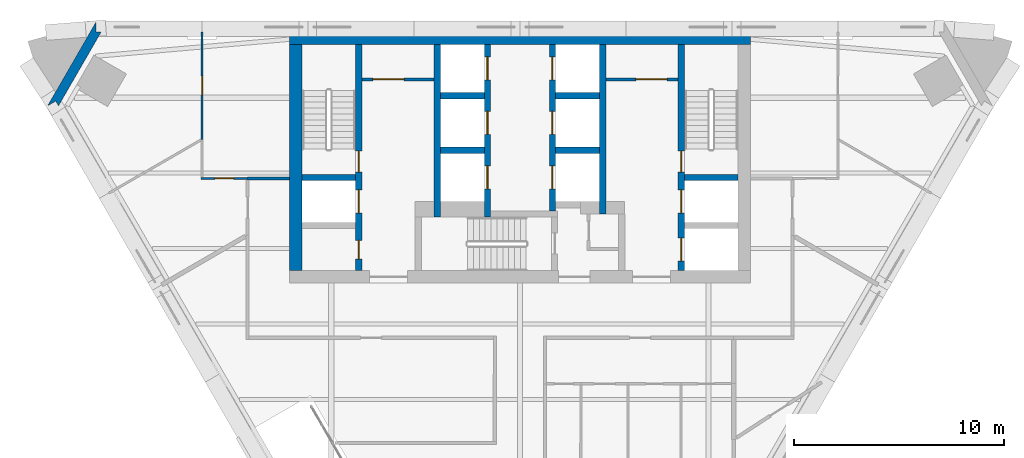
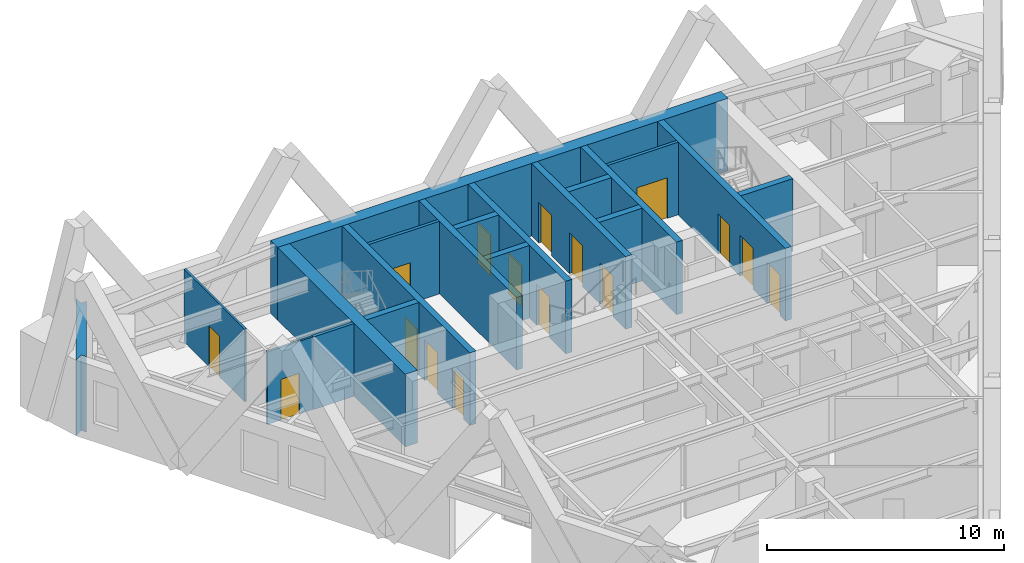
# One storey, part 6 of 9: 20 walls, 16 doors, 16 openings.
"""IFC4 building model written with IfcOpenShell, lengths in metres."""

import ifcopenshell
import ifcopenshell.guid

model = None  # the IFC model being written
_history = None  # IfcOwnerHistory: only IFC2X3 demands one
_inside = {}  # id of a spatial element -> (the spatial element, [elements in it])
_under = {}  # id of a project, library or spatial element -> (it, [spatial elements below it])
_declared = {}  # id of a project -> (the project, [libraries it declares])
_typed = {}  # id of a type object -> (the type object, [elements of that type])
_made_of = {}  # id of a material, layer set ... -> (it, [elements and type objects made of it])


def new_model(schema):
    """Start an empty IFC model of exactly this schema.

    Asked for "IFC4X3", IfcOpenShell would pick the latest addendum, in which some entities
    have other attributes; the version numbers below select the first issue.
    IFC2X3 requires an IfcOwnerHistory on every rooted entity: one is made here for all.
    """
    global model, _history
    if schema == "IFC4X3":
        model = ifcopenshell.file(schema_version=(4, 3, 0, 0))
    else:
        model = ifcopenshell.file(schema=schema)
    _inside.clear()
    _under.clear()
    _declared.clear()
    _typed.clear()
    _made_of.clear()
    _history = None
    if model.schema == "IFC2X3":
        org = make("IfcOrganization", Name="unknown")
        user = make(
            "IfcPersonAndOrganization",
            ThePerson=make("IfcPerson", FamilyName="unknown"),
            TheOrganization=org,
        )
        app = make(
            "IfcApplication",
            ApplicationDeveloper=org,
            Version="unknown",
            ApplicationFullName="unknown",
            ApplicationIdentifier="unknown",
        )
        _history = make(
            "IfcOwnerHistory",
            OwningUser=user,
            OwningApplication=app,
            ChangeAction="ADDED",
            CreationDate=0,
        )
    return model


def make(cls, **values):
    """One entity of the class cls with the attributes given. An attribute that is None is left unset."""
    return model.create_entity(
        cls, **{name: value for name, value in values.items() if value is not None}
    )


def rooted(cls, **values):
    """An entity with a GlobalId (a new one), such as an element, a storey or a relation."""
    return make(cls, GlobalId=ifcopenshell.guid.new(), OwnerHistory=_history, **values)


def si_unit(unit_type, name, prefix=None):
    """IfcSIUnit, for example si_unit("LENGTHUNIT", "METRE", prefix="MILLI")."""
    return make("IfcSIUnit", UnitType=unit_type, Prefix=prefix, Name=name)


def assignment(units):
    """IfcUnitAssignment: the units of a project."""
    return None if units is None else make("IfcUnitAssignment", Units=units)


def point(xyz):
    """IfcCartesianPoint."""
    return None if xyz is None else make("IfcCartesianPoint", Coordinates=xyz)


def direction(xyz):
    """IfcDirection."""
    return None if xyz is None else make("IfcDirection", DirectionRatios=xyz)


def frame(location, z_axis=None, x_axis=None):
    """IfcAxis2Placement3D, a coordinate frame: its origin and axes. An axis left out is left unset."""
    return make(
        "IfcAxis2Placement3D",
        Location=point(location),
        Axis=direction(z_axis),
        RefDirection=direction(x_axis),
    )


def frame_2d(location, x_axis=None):
    """IfcAxis2Placement2D, a coordinate frame in the plane: its origin and x axis."""
    return make(
        "IfcAxis2Placement2D", Location=point(location), RefDirection=direction(x_axis)
    )


def origin():
    """The frame at (0, 0, 0) with its axes left unset."""
    return frame((0.0, 0.0, 0.0))


def place(relative_to, where):
    """IfcLocalPlacement: puts the frame where relative to a parent placement (None: the world)."""
    return make(
        "IfcLocalPlacement", PlacementRelTo=relative_to, RelativePlacement=where
    )


def context(
    kind, dimensions, precision=None, world=None, true_north=None, identifier=None
):
    """IfcGeometricRepresentationContext, for example the 3D "Model" context."""
    return make(
        "IfcGeometricRepresentationContext",
        ContextIdentifier=identifier,
        ContextType=kind,
        CoordinateSpaceDimension=dimensions,
        Precision=precision,
        WorldCoordinateSystem=world,
        TrueNorth=true_north,
    )


def subcontext(parent, identifier, kind, view, scale=None):
    """IfcGeometricRepresentationSubContext, for example "Body" below "Model"."""
    return make(
        "IfcGeometricRepresentationSubContext",
        ContextIdentifier=identifier,
        ContextType=kind,
        ParentContext=parent,
        TargetScale=scale,
        TargetView=view,
    )


def project(units=None, contexts=None):
    """IfcProject with its units and contexts."""
    return rooted(
        "IfcProject",
        Name="project",
        RepresentationContexts=contexts,
        UnitsInContext=assignment(units),
    )


def spatial(cls, under=None, at=None, **own):
    """A site, building, storey or space (cls), placed at a placement, below another one or the project."""
    s = rooted(cls, ObjectPlacement=at, **own)
    if under is not None:
        _under.setdefault(under.id(), (under, []))[1].append(s)
    return s


def polyline(points):
    """IfcPolyline through the points."""
    return make("IfcPolyline", Points=[point(p) for p in points])


def profile(cls, at=None, kind="AREA", **sizes):
    """A parametric profile (cls). Its sizes go by their IFC names, for example OverallWidth=200.0."""
    return make(cls, ProfileType=kind, Position=at, **sizes)


def rectangle(**sizes):
    """IfcRectangleProfileDef."""
    return profile("IfcRectangleProfileDef", **sizes)


def outline(outer, holes=None, kind="AREA"):
    """IfcArbitraryClosedProfileDef: a profile drawn as a closed curve; with holes, ...WithVoids."""
    if holes is None:
        return make("IfcArbitraryClosedProfileDef", ProfileType=kind, OuterCurve=outer)
    return make(
        "IfcArbitraryProfileDefWithVoids",
        ProfileType=kind,
        OuterCurve=outer,
        InnerCurves=holes,
    )


def extrude(swept, where, along, depth):
    """IfcExtrudedAreaSolid: the profile swept, set in the frame where, extruded along a direction by depth."""
    return make(
        "IfcExtrudedAreaSolid",
        SweptArea=swept,
        Position=where,
        ExtrudedDirection=direction(along),
        Depth=depth,
    )


def shape(context_of_items, identifier, shape_type, items):
    """IfcShapeRepresentation: the items that make up one representation, for example the "Body"."""
    return make(
        "IfcShapeRepresentation",
        ContextOfItems=context_of_items,
        RepresentationIdentifier=identifier,
        RepresentationType=shape_type,
        Items=items,
    )


def material(Name=None, Category=None):
    """IfcMaterial."""
    return make("IfcMaterial", Name=Name, Category=Category)


def layer(
    of_material, thickness, ventilated=None, Name=None, Category=None, Priority=None
):
    """IfcMaterialLayer: one layer of a wall or slab, of a material (None: an air gap)."""
    return make(
        "IfcMaterialLayer",
        Material=of_material,
        LayerThickness=thickness,
        IsVentilated=ventilated,
        Name=Name,
        Category=Category,
        Priority=Priority,
    )


def layer_set(layers, Name=None):
    """IfcMaterialLayerSet."""
    return make("IfcMaterialLayerSet", MaterialLayers=layers, LayerSetName=Name)


def made_of(thing, what):
    """Note that an element or type object is made of a material, layer set ...; save() writes the relation."""
    if what is not None:
        _made_of.setdefault(what.id(), (what, []))[1].append(thing)
    return thing


def type_object(cls, material=None, **own):
    """A type object (cls), such as IfcWallType, which elements share."""
    return made_of(rooted(cls, **own), material)


def element(
    cls,
    number,
    at=None,
    inside=None,
    cuts=None,
    type_object=None,
    material=None,
    context=None,
    identifier="Body",
    shape_type=None,
    held_by="IfcProductDefinitionShape",
    body=None,
    shapes=None,
    **own,
):
    """One element of the class cls, such as IfcWall. Its Tag is "e" and its number.

    at: its placement. inside: the storey or other place that contains it. cuts: it is an
    opening in that element (IfcRelVoidsElement). A single representation is given by context,
    identifier, shape_type and body (its items); several are given by shapes. held_by: the class
    of the entity that holds the representations. save() writes the other relations.
    """
    e = rooted(cls, Tag="e%d" % number, ObjectPlacement=at, **own)
    if body is not None:
        shapes = [shape(context, identifier, shape_type, body)]
    if shapes is not None:
        e.Representation = make(held_by, Representations=shapes)
    if inside is not None:
        _inside.setdefault(inside.id(), (inside, []))[1].append(e)
    if cuts is not None:
        rooted(
            "IfcRelVoidsElement", RelatingBuildingElement=cuts, RelatedOpeningElement=e
        )
    if type_object is not None:
        _typed.setdefault(type_object.id(), (type_object, []))[1].append(e)
    return made_of(e, material)


def fill(opening, filler):
    """IfcRelFillsElement: the door or window that sits in an opening."""
    return rooted(
        "IfcRelFillsElement",
        RelatingOpeningElement=opening,
        RelatedBuildingElement=filler,
    )


def aggregate(whole, parts):
    """IfcRelAggregates: a whole, such as a stair, and the parts it consists of."""
    return rooted("IfcRelAggregates", RelatingObject=whole, RelatedObjects=parts)


def save(model, path):
    """Write the relations noted so far, then the file.

    IfcRelAggregates (storeys below a building ...), IfcRelContainedInSpatialStructure (elements
    in a storey), IfcRelDefinesByType, IfcRelAssociatesMaterial and IfcRelDeclares: one each for
    every whole, place, type object, material and project.
    """
    for whole, parts in _under.values():
        aggregate(whole, parts)
    for where, things in _inside.values():
        rooted(
            "IfcRelContainedInSpatialStructure",
            RelatedElements=things,
            RelatingStructure=where,
        )
    for kind, things in _typed.values():
        rooted("IfcRelDefinesByType", RelatedObjects=things, RelatingType=kind)
    for what, things in _made_of.values():
        rooted("IfcRelAssociatesMaterial", RelatedObjects=things, RelatingMaterial=what)
    for by, libraries in _declared.values():
        rooted("IfcRelDeclares", RelatingContext=by, RelatedDefinitions=libraries)
    model.write(path)


model = new_model("IFC4")

# Units and contexts
model_context = context("Model", 3, precision=1e-05, world=origin(), true_north=direction((0.0, 1.0)))
body_context = subcontext(model_context, "Body", "Model", "MODEL_VIEW")
ifc_project = project(units=[si_unit("LENGTHUNIT", "METRE"), si_unit("AREAUNIT", "SQUARE_METRE"), si_unit("VOLUMEUNIT", "CUBIC_METRE"), si_unit("PLANEANGLEUNIT", "RADIAN"), si_unit("MASSUNIT", "GRAM", prefix="KILO")], contexts=[model_context])

# Site, building, storey
site_placement = place(None, origin())
site = spatial("IfcSite", under=ifc_project, at=site_placement, CompositionType="ELEMENT")
building_placement = place(site_placement, origin())
building = spatial("IfcBuilding", under=site, at=building_placement, Name="Aloe Facet Convention Tower", CompositionType="ELEMENT")
storey_placement = place(building_placement, frame((0.0, 0.0, 152.0)))
storey = spatial("IfcBuildingStorey", under=building, at=storey_placement, Name="L38", CompositionType="ELEMENT", Elevation=152.0)

# Wall, opening, door
ifc_material_1 = material(Name="Concrete blockwork partition", Category="masonry")
ifc_layer_1 = layer(ifc_material_1, 0.14990234375)
ifc_layer_set_1 = layer_set([ifc_layer_1], Name="CR-W-PART150")
wall_type_1 = type_object("IfcWallType", Name="CR-W-PART150", PredefinedType="PARTITIONING", material=ifc_layer_set_1)
wall_1_placement = place(storey_placement, frame((72.449951171875, 132.27490234375, 0.0), z_axis=(0.0, 0.0, 1.0), x_axis=(1.0, 0.0, 0.0)))
wall_1 = element("IfcWall", 1, at=wall_1_placement, inside=storey, type_object=wall_type_1, Name="Core partition L38-007", PredefinedType="PARTITIONING", context=body_context, shape_type="SweptSolid", body=[
    extrude(rectangle(XDim=3.449951171875, YDim=0.14990234375, at=frame_2d((1.72509765625, 0.0))), origin(), (0.0, 0.0, 1.0), 3.75),
])
opening_1_placement = place(wall_1_placement, frame((0.52490234375, 0.0, 0.0)))
opening_1 = element("IfcOpeningElement", 2, at=opening_1_placement, cuts=wall_1, Name="Opening L38-CD14", PredefinedType="OPENING", context=body_context, shape_type="SweptSolid", body=[
    extrude(rectangle(XDim=1.5, YDim=2.10009765625, at=frame_2d((0.75, 1.050048828125))), frame((0.0, 0.0849609375, 0.0), z_axis=(0.0, -1.0, 0.0), x_axis=(1.0, 0.0, 0.0)), (0.0, 0.0, 1.0), 0.169921875),
])
ifc_material_2 = material(Name="Steel fire-resisting door set FD60", Category="steel")
door_type_1 = type_object("IfcDoorType", Name="CR-D-REFUGE-1500-FD60-DD", OperationType="DOUBLE_DOOR_DOUBLE_SWING", PredefinedType="DOOR", material=ifc_material_2)
door_1_placement = place(opening_1_placement, origin())
door_1 = element("IfcDoor", 3, at=door_1_placement, inside=storey, type_object=door_type_1, Name="Core door L38-CD14", OperationType="DOUBLE_DOOR_DOUBLE_SWING", OverallHeight=2.10009765625, OverallWidth=1.5, PredefinedType="DOOR", context=body_context, shape_type="SweptSolid", body=[
    extrude(rectangle(XDim=1.5, YDim=2.10009765625, at=frame_2d((0.75, 1.050048828125))), frame((0.0, 0.02490234375, 0.0), z_axis=(0.0, -1.0, 0.0), x_axis=(1.0, 0.0, 0.0)), (0.0, 0.0, 1.0), 0.050048828125),
])
fill(opening_1, door_1)

wall_2_placement = place(storey_placement, frame((84.10009765625, 132.27490234375, 0.0), z_axis=(0.0, 0.0, 1.0), x_axis=(1.0, 0.0, 0.0)))
wall_2 = element("IfcWall", 4, at=wall_2_placement, inside=storey, type_object=wall_type_1, Name="Core partition L38-025", PredefinedType="PARTITIONING", context=body_context, shape_type="SweptSolid", body=[
    extrude(rectangle(XDim=3.449951171875, YDim=0.14990234375, at=frame_2d((1.72509765625, 0.0))), origin(), (0.0, 0.0, 1.0), 3.75),
])
opening_2_placement = place(wall_2_placement, frame((1.425048828125, 0.0, 0.0)))
opening_2 = element("IfcOpeningElement", 5, at=opening_2_placement, cuts=wall_2, Name="Opening L38-CD13", PredefinedType="OPENING", context=body_context, shape_type="SweptSolid", body=[
    extrude(rectangle(XDim=1.5, YDim=2.10009765625, at=frame_2d((0.75, 1.050048828125))), frame((0.0, 0.0849609375, 0.0), z_axis=(0.0, -1.0, 0.0), x_axis=(1.0, 0.0, 0.0)), (0.0, 0.0, 1.0), 0.169921875),
])
door_2_placement = place(opening_2_placement, origin())
door_2 = element("IfcDoor", 6, at=door_2_placement, inside=storey, type_object=door_type_1, Name="Core door L38-CD13", OperationType="DOUBLE_DOOR_DOUBLE_SWING", OverallHeight=2.10009765625, OverallWidth=1.5, PredefinedType="DOOR", context=body_context, shape_type="SweptSolid", body=[
    extrude(rectangle(XDim=1.5, YDim=2.10009765625, at=frame_2d((0.75, 1.050048828125))), frame((0.0, 0.02490234375, 0.0), z_axis=(0.0, -1.0, 0.0), x_axis=(1.0, 0.0, 0.0)), (0.0, 0.0, 1.0), 0.050048828125),
])
fill(opening_2, door_2)

# Wall
ifc_material_3 = material(Name="Concrete C60/75", Category="concrete")
ifc_layer_2 = layer(ifc_material_3, 0.300048828125)
ifc_layer_set_2 = layer_set([ifc_layer_2], Name="CR-W-RC300-C6075")
wall_type_2 = type_object("IfcWallType", Name="CR-W-RC300-C6075", PredefinedType="SOLIDWALL", material=ifc_layer_set_2)
wall_3_placement = place(storey_placement, frame((69.60009765625, 127.60009765625, 0.0), z_axis=(0.0, 0.0, 1.0), x_axis=(1.0, 0.0, 0.0)))
element("IfcWall", 7, at=wall_3_placement, inside=storey, type_object=wall_type_2, Name="Core wall L38-004", PredefinedType="SOLIDWALL", context=body_context, shape_type="SweptSolid", body=[
    extrude(rectangle(XDim=2.5498046875, YDim=0.300048828125, at=frame_2d((1.27490234375, 0.0))), origin(), (0.0, 0.0, 1.0), 3.75),
])

# Wall, openings, doors
wall_4_placement = place(storey_placement, frame((72.300048828125, 133.949951171875, 0.0), z_axis=(0.0, 0.0, 1.0), x_axis=(0.0, -1.0, 0.0)))
wall_4 = element("IfcWall", 8, at=wall_4_placement, inside=storey, type_object=wall_type_2, Name="Core wall L38-006", PredefinedType="SOLIDWALL", context=body_context, shape_type="SweptSolid", body=[
    extrude(rectangle(XDim=10.800048828125, YDim=0.300048828125, at=frame_2d((5.39990234375, 0.0))), origin(), (0.0, 0.0, 1.0), 3.75),
])
opening_3_placement = place(wall_4_placement, frame((6.949951171875, 0.0, 0.0)))
opening_3 = element("IfcOpeningElement", 9, at=opening_3_placement, cuts=wall_4, Name="Opening LD-FF1-L38", PredefinedType="OPENING", context=body_context, shape_type="SweptSolid", body=[
    extrude(rectangle(XDim=1.10009765625, YDim=2.10009765625, at=frame_2d((0.550048828125, 1.050048828125))), frame((0.0, 0.16015625, 0.0), z_axis=(0.0, -1.0, 0.0), x_axis=(1.0, 0.0, 0.0)), (0.0, 0.0, 1.0), 0.320068359375),
])
opening_4_placement = place(wall_4_placement, frame((9.35009765625, 0.0, 0.0)))
opening_4 = element("IfcOpeningElement", 10, at=opening_4_placement, cuts=wall_4, Name="Opening L38-CD15", PredefinedType="OPENING", context=body_context, shape_type="SweptSolid", body=[
    extrude(rectangle(XDim=0.89990234375, YDim=2.10009765625, at=frame_2d((0.449951171875, 1.050048828125))), frame((0.0, 0.16015625, 0.0), z_axis=(0.0, -1.0, 0.0), x_axis=(1.0, 0.0, 0.0)), (0.0, 0.0, 1.0), 0.320068359375),
])
opening_5_placement = place(wall_4_placement, frame((5.10009765625, 0.0, 0.0)))
opening_5 = element("IfcOpeningElement", 11, at=opening_5_placement, cuts=wall_4, Name="Opening L38-CD16", PredefinedType="OPENING", context=body_context, shape_type="SweptSolid", body=[
    extrude(rectangle(XDim=1.0, YDim=2.10009765625, at=frame_2d((0.5, 1.050048828125))), frame((0.0, 0.16015625, 0.0), z_axis=(0.0, -1.0, 0.0), x_axis=(1.0, 0.0, 0.0)), (0.0, 0.0, 1.0), 0.320068359375),
])
ifc_material_4 = material(Name="Steel fire-resisting door set FD60", Category="steel")
door_type_2 = type_object("IfcDoorType", Name="CR-D-ROOM-900-FD60-SLEFT", OperationType="SINGLE_SWING_LEFT", PredefinedType="DOOR", material=ifc_material_4)
door_3_placement = place(opening_4_placement, origin())
door_3 = element("IfcDoor", 12, at=door_3_placement, inside=storey, type_object=door_type_2, Name="Core door L38-CD15", OperationType="SINGLE_SWING_LEFT", OverallHeight=2.10009765625, OverallWidth=0.89990234375, PredefinedType="DOOR", context=body_context, shape_type="SweptSolid", body=[
    extrude(rectangle(XDim=0.89990234375, YDim=2.10009765625, at=frame_2d((0.449951171875, 1.050048828125))), frame((0.0, 0.02490234375, 0.0), z_axis=(0.0, -1.0, 0.0), x_axis=(1.0, 0.0, 0.0)), (0.0, 0.0, 1.0), 0.050048828125),
])
fill(opening_4, door_3)
ifc_material_5 = material(Name="Steel fire-resisting door set FD120", Category="steel")
door_type_3 = type_object("IfcDoorType", Name="CR-D-STAIR-1000-FD120-SRIGHT", OperationType="SINGLE_SWING_RIGHT", PredefinedType="DOOR", material=ifc_material_5)
door_4_placement = place(opening_5_placement, origin())
door_4 = element("IfcDoor", 13, at=door_4_placement, inside=storey, type_object=door_type_3, Name="Core door L38-CD16", OperationType="SINGLE_SWING_RIGHT", OverallHeight=2.10009765625, OverallWidth=1.0, PredefinedType="DOOR", context=body_context, shape_type="SweptSolid", body=[
    extrude(rectangle(XDim=1.0, YDim=2.10009765625, at=frame_2d((0.5, 1.050048828125))), frame((0.0, 0.02490234375, 0.0), z_axis=(0.0, -1.0, 0.0), x_axis=(1.0, 0.0, 0.0)), (0.0, 0.0, 1.0), 0.050048828125),
])
fill(opening_5, door_4)
ifc_material_6 = material(Name="Stainless steel sliding landing door", Category="steel")
door_type_4 = type_object("IfcDoorType", Name="CR-LD-1100-FD120-_LEFT", OperationType="SLIDING_TO_LEFT", PredefinedType="DOOR", material=ifc_material_6)
door_5_placement = place(opening_3_placement, origin())
door_5 = element("IfcDoor", 14, at=door_5_placement, inside=storey, type_object=door_type_4, Name="Landing door FF1 L38", OperationType="SLIDING_TO_LEFT", OverallHeight=2.10009765625, OverallWidth=1.10009765625, PredefinedType="DOOR", context=body_context, shape_type="SweptSolid", body=[
    extrude(rectangle(XDim=1.10009765625, YDim=2.10009765625, at=frame_2d((0.550048828125, 1.050048828125))), frame((0.0, 0.02490234375, 0.0), z_axis=(0.0, -1.0, 0.0), x_axis=(1.0, 0.0, 0.0)), (0.0, 0.0, 1.0), 0.050048828125),
])
fill(opening_3, door_5)

# Walls
wall_5_placement = place(storey_placement, frame((76.050048828125, 133.949951171875, 0.0), z_axis=(0.0, 0.0, 1.0), x_axis=(0.0, -1.0, 0.0)))
element("IfcWall", 15, at=wall_5_placement, inside=storey, type_object=wall_type_2, Name="Core wall L38-010", PredefinedType="SOLIDWALL", context=body_context, shape_type="SweptSolid", body=[
    extrude(rectangle(XDim=8.25, YDim=0.300048828125, at=frame_2d((4.125, 0.0))), origin(), (0.0, 0.0, 1.0), 3.75),
])
for number, where, z_axis, x_axis, name in (
    (16, (76.199951171875, 131.5, 0.0), (0.0, 0.0, 1.0), (1.0, 0.0, 0.0), "Core wall L38-011"),
    (17, (76.199951171875, 128.89990234375, 0.0), (0.0, 0.0, 1.0), (1.0, 0.0, 0.0), "Core wall L38-012"),
):
    element("IfcWall", number, at=place(storey_placement, frame(where, z_axis=z_axis, x_axis=x_axis)), inside=storey, type_object=wall_type_2, Name=name, PredefinedType="SOLIDWALL", context=body_context, shape_type="SweptSolid", body=[
        extrude(rectangle(XDim=2.10009765625, YDim=0.300048828125, at=frame_2d((1.050048828125, 0.0))), origin(), (0.0, 0.0, 1.0), 3.75),
    ])

# Wall, openings, doors
wall_6_placement = place(storey_placement, frame((78.449951171875, 133.949951171875, 0.0), z_axis=(0.0, 0.0, 1.0), x_axis=(0.0, -1.0, 0.0)))
wall_6 = element("IfcWall", 18, at=wall_6_placement, inside=storey, type_object=wall_type_2, Name="Core wall L38-014", PredefinedType="SOLIDWALL", context=body_context, shape_type="SweptSolid", body=[
    extrude(rectangle(XDim=8.25, YDim=0.300048828125, at=frame_2d((4.125, 0.0))), origin(), (0.0, 0.0, 1.0), 3.75),
])
opening_6_placement = place(wall_6_placement, frame((0.60009765625, 0.0, 0.0)))
opening_6 = element("IfcOpeningElement", 19, at=opening_6_placement, cuts=wall_6, Name="Opening LD-B1-L38", PredefinedType="OPENING", context=body_context, shape_type="SweptSolid", body=[
    extrude(rectangle(XDim=1.10009765625, YDim=2.10009765625, at=frame_2d((0.550048828125, 1.050048828125))), frame((0.0, 0.16015625, 0.0), z_axis=(0.0, -1.0, 0.0), x_axis=(1.0, 0.0, 0.0)), (0.0, 0.0, 1.0), 0.320068359375),
])
opening_7_placement = place(wall_6_placement, frame((3.199951171875, 0.0, 0.0)))
opening_7 = element("IfcOpeningElement", 20, at=opening_7_placement, cuts=wall_6, Name="Opening LD-B2-L38", PredefinedType="OPENING", context=body_context, shape_type="SweptSolid", body=[
    extrude(rectangle(XDim=1.10009765625, YDim=2.10009765625, at=frame_2d((0.550048828125, 1.050048828125))), frame((0.0, 0.16015625, 0.0), z_axis=(0.0, -1.0, 0.0), x_axis=(1.0, 0.0, 0.0)), (0.0, 0.0, 1.0), 0.320068359375),
])
opening_8_placement = place(wall_6_placement, frame((5.800048828125, 0.0, 0.0)))
opening_8 = element("IfcOpeningElement", 21, at=opening_8_placement, cuts=wall_6, Name="Opening LD-B3-L38", PredefinedType="OPENING", context=body_context, shape_type="SweptSolid", body=[
    extrude(rectangle(XDim=1.10009765625, YDim=2.10009765625, at=frame_2d((0.550048828125, 1.050048828125))), frame((0.0, 0.16015625, 0.0), z_axis=(0.0, -1.0, 0.0), x_axis=(1.0, 0.0, 0.0)), (0.0, 0.0, 1.0), 0.320068359375),
])
ifc_material_7 = material(Name="Stainless steel sliding landing door", Category="steel")
door_type_5 = type_object("IfcDoorType", Name="CR-LD-1100-FD60-RIGHT", OperationType="SLIDING_TO_RIGHT", PredefinedType="DOOR", material=ifc_material_7)
door_6_placement = place(opening_6_placement, origin())
door_6 = element("IfcDoor", 22, at=door_6_placement, inside=storey, type_object=door_type_5, Name="Landing door B1 L38", OperationType="SLIDING_TO_RIGHT", OverallHeight=2.10009765625, OverallWidth=1.10009765625, PredefinedType="DOOR", context=body_context, shape_type="SweptSolid", body=[
    extrude(rectangle(XDim=1.10009765625, YDim=2.10009765625, at=frame_2d((0.550048828125, 1.050048828125))), frame((0.0, 0.02490234375, 0.0), z_axis=(0.0, -1.0, 0.0), x_axis=(1.0, 0.0, 0.0)), (0.0, 0.0, 1.0), 0.050048828125),
])
fill(opening_6, door_6)
door_7_placement = place(opening_7_placement, origin())
door_7 = element("IfcDoor", 23, at=door_7_placement, inside=storey, type_object=door_type_5, Name="Landing door B2 L38", OperationType="SLIDING_TO_RIGHT", OverallHeight=2.10009765625, OverallWidth=1.10009765625, PredefinedType="DOOR", context=body_context, shape_type="SweptSolid", body=[
    extrude(rectangle(XDim=1.10009765625, YDim=2.10009765625, at=frame_2d((0.550048828125, 1.050048828125))), frame((0.0, 0.02490234375, 0.0), z_axis=(0.0, -1.0, 0.0), x_axis=(1.0, 0.0, 0.0)), (0.0, 0.0, 1.0), 0.050048828125),
])
fill(opening_7, door_7)
door_8_placement = place(opening_8_placement, origin())
door_8 = element("IfcDoor", 24, at=door_8_placement, inside=storey, type_object=door_type_5, Name="Landing door B3 L38", OperationType="SLIDING_TO_RIGHT", OverallHeight=2.10009765625, OverallWidth=1.10009765625, PredefinedType="DOOR", context=body_context, shape_type="SweptSolid", body=[
    extrude(rectangle(XDim=1.10009765625, YDim=2.10009765625, at=frame_2d((0.550048828125, 1.050048828125))), frame((0.0, 0.02490234375, 0.0), z_axis=(0.0, -1.0, 0.0), x_axis=(1.0, 0.0, 0.0)), (0.0, 0.0, 1.0), 0.050048828125),
])
fill(opening_8, door_8)

wall_7_placement = place(storey_placement, frame((81.550048828125, 133.949951171875, 0.0), z_axis=(0.0, 0.0, 1.0), x_axis=(0.0, -1.0, 0.0)))
wall_7 = element("IfcWall", 25, at=wall_7_placement, inside=storey, type_object=wall_type_2, Name="Core wall L38-016", PredefinedType="SOLIDWALL", context=body_context, shape_type="SweptSolid", body=[
    extrude(rectangle(XDim=7.949951171875, YDim=0.300048828125, at=frame_2d((3.97509765625, 0.0))), origin(), (0.0, 0.0, 1.0), 3.75),
])
opening_9_placement = place(wall_7_placement, frame((0.60009765625, 0.0, 0.0)))
opening_9 = element("IfcOpeningElement", 26, at=opening_9_placement, cuts=wall_7, Name="Opening LD-B4-L38", PredefinedType="OPENING", context=body_context, shape_type="SweptSolid", body=[
    extrude(rectangle(XDim=1.10009765625, YDim=2.10009765625, at=frame_2d((0.550048828125, 1.050048828125))), frame((0.0, 0.16015625, 0.0), z_axis=(0.0, -1.0, 0.0), x_axis=(1.0, 0.0, 0.0)), (0.0, 0.0, 1.0), 0.320068359375),
])
opening_10_placement = place(wall_7_placement, frame((3.199951171875, 0.0, 0.0)))
opening_10 = element("IfcOpeningElement", 27, at=opening_10_placement, cuts=wall_7, Name="Opening LD-B5-L38", PredefinedType="OPENING", context=body_context, shape_type="SweptSolid", body=[
    extrude(rectangle(XDim=1.10009765625, YDim=2.10009765625, at=frame_2d((0.550048828125, 1.050048828125))), frame((0.0, 0.16015625, 0.0), z_axis=(0.0, -1.0, 0.0), x_axis=(1.0, 0.0, 0.0)), (0.0, 0.0, 1.0), 0.320068359375),
])
opening_11_placement = place(wall_7_placement, frame((5.800048828125, 0.0, 0.0)))
opening_11 = element("IfcOpeningElement", 28, at=opening_11_placement, cuts=wall_7, Name="Opening LD-B6-L38", PredefinedType="OPENING", context=body_context, shape_type="SweptSolid", body=[
    extrude(rectangle(XDim=1.10009765625, YDim=2.10009765625, at=frame_2d((0.550048828125, 1.050048828125))), frame((0.0, 0.16015625, 0.0), z_axis=(0.0, -1.0, 0.0), x_axis=(1.0, 0.0, 0.0)), (0.0, 0.0, 1.0), 0.320068359375),
])
ifc_material_8 = material(Name="Stainless steel sliding landing door", Category="steel")
door_type_6 = type_object("IfcDoorType", Name="CR-LD-1100-FD60-_LEFT", OperationType="SLIDING_TO_LEFT", PredefinedType="DOOR", material=ifc_material_8)
door_9_placement = place(opening_9_placement, origin())
door_9 = element("IfcDoor", 29, at=door_9_placement, inside=storey, type_object=door_type_6, Name="Landing door B4 L38", OperationType="SLIDING_TO_LEFT", OverallHeight=2.10009765625, OverallWidth=1.10009765625, PredefinedType="DOOR", context=body_context, shape_type="SweptSolid", body=[
    extrude(rectangle(XDim=1.10009765625, YDim=2.10009765625, at=frame_2d((0.550048828125, 1.050048828125))), frame((0.0, 0.02490234375, 0.0), z_axis=(0.0, -1.0, 0.0), x_axis=(1.0, 0.0, 0.0)), (0.0, 0.0, 1.0), 0.050048828125),
])
fill(opening_9, door_9)
door_10_placement = place(opening_10_placement, origin())
door_10 = element("IfcDoor", 30, at=door_10_placement, inside=storey, type_object=door_type_6, Name="Landing door B5 L38", OperationType="SLIDING_TO_LEFT", OverallHeight=2.10009765625, OverallWidth=1.10009765625, PredefinedType="DOOR", context=body_context, shape_type="SweptSolid", body=[
    extrude(rectangle(XDim=1.10009765625, YDim=2.10009765625, at=frame_2d((0.550048828125, 1.050048828125))), frame((0.0, 0.02490234375, 0.0), z_axis=(0.0, -1.0, 0.0), x_axis=(1.0, 0.0, 0.0)), (0.0, 0.0, 1.0), 0.050048828125),
])
fill(opening_10, door_10)
door_11_placement = place(opening_11_placement, origin())
door_11 = element("IfcDoor", 31, at=door_11_placement, inside=storey, type_object=door_type_6, Name="Landing door B6 L38", OperationType="SLIDING_TO_LEFT", OverallHeight=2.10009765625, OverallWidth=1.10009765625, PredefinedType="DOOR", context=body_context, shape_type="SweptSolid", body=[
    extrude(rectangle(XDim=1.10009765625, YDim=2.10009765625, at=frame_2d((0.550048828125, 1.050048828125))), frame((0.0, 0.02490234375, 0.0), z_axis=(0.0, -1.0, 0.0), x_axis=(1.0, 0.0, 0.0)), (0.0, 0.0, 1.0), 0.050048828125),
])
fill(opening_11, door_11)

# Walls
for number, where, z_axis, x_axis, name in (
    (32, (81.699951171875, 131.5, 0.0), (0.0, 0.0, 1.0), (1.0, 0.0, 0.0), "Core wall L38-018"),
    (33, (81.699951171875, 128.89990234375, 0.0), (0.0, 0.0, 1.0), (1.0, 0.0, 0.0), "Core wall L38-019"),
):
    element("IfcWall", number, at=place(storey_placement, frame(where, z_axis=z_axis, x_axis=x_axis)), inside=storey, type_object=wall_type_2, Name=name, PredefinedType="SOLIDWALL", context=body_context, shape_type="SweptSolid", body=[
        extrude(rectangle(XDim=2.10009765625, YDim=0.300048828125, at=frame_2d((1.050048828125, 0.0))), origin(), (0.0, 0.0, 1.0), 3.75),
    ])
wall_8_placement = place(storey_placement, frame((83.949951171875, 133.949951171875, 0.0), z_axis=(0.0, 0.0, 1.0), x_axis=(0.0, -1.0, 0.0)))
element("IfcWall", 34, at=wall_8_placement, inside=storey, type_object=wall_type_2, Name="Core wall L38-024", PredefinedType="SOLIDWALL", context=body_context, shape_type="SweptSolid", body=[
    extrude(rectangle(XDim=8.099853515625, YDim=0.300048828125, at=frame_2d((4.0498046875, 0.0))), origin(), (0.0, 0.0, 1.0), 3.75),
])

# Wall, openings, doors
wall_9_placement = place(storey_placement, frame((87.699951171875, 133.949951171875, 0.0), z_axis=(0.0, 0.0, 1.0), x_axis=(0.0, -1.0, 0.0)))
wall_9 = element("IfcWall", 35, at=wall_9_placement, inside=storey, type_object=wall_type_2, Name="Core wall L38-028", PredefinedType="SOLIDWALL", context=body_context, shape_type="SweptSolid", body=[
    extrude(rectangle(XDim=10.800048828125, YDim=0.300048828125, at=frame_2d((5.39990234375, 0.0))), origin(), (0.0, 0.0, 1.0), 3.75),
])
opening_12_placement = place(wall_9_placement, frame((6.949951171875, 0.0, 0.0)))
opening_12 = element("IfcOpeningElement", 36, at=opening_12_placement, cuts=wall_9, Name="Opening LD-FF2-L38", PredefinedType="OPENING", context=body_context, shape_type="SweptSolid", body=[
    extrude(rectangle(XDim=1.10009765625, YDim=2.10009765625, at=frame_2d((0.550048828125, 1.050048828125))), frame((0.0, 0.16015625, 0.0), z_axis=(0.0, -1.0, 0.0), x_axis=(1.0, 0.0, 0.0)), (0.0, 0.0, 1.0), 0.320068359375),
])
opening_13_placement = place(wall_9_placement, frame((5.10009765625, 0.0, 0.0)))
opening_13 = element("IfcOpeningElement", 37, at=opening_13_placement, cuts=wall_9, Name="Opening L38-CD17", PredefinedType="OPENING", context=body_context, shape_type="SweptSolid", body=[
    extrude(rectangle(XDim=1.0, YDim=2.10009765625, at=frame_2d((0.5, 1.050048828125))), frame((0.0, 0.16015625, 0.0), z_axis=(0.0, -1.0, 0.0), x_axis=(1.0, 0.0, 0.0)), (0.0, 0.0, 1.0), 0.320068359375),
])
opening_14_placement = place(wall_9_placement, frame((9.25, 0.0, 0.0)))
opening_14 = element("IfcOpeningElement", 38, at=opening_14_placement, cuts=wall_9, Name="Opening LD-SV1-L38", PredefinedType="OPENING", context=body_context, shape_type="SweptSolid", body=[
    extrude(rectangle(XDim=1.10009765625, YDim=2.10009765625, at=frame_2d((0.550048828125, 1.050048828125))), frame((0.0, 0.16015625, 0.0), z_axis=(0.0, -1.0, 0.0), x_axis=(1.0, 0.0, 0.0)), (0.0, 0.0, 1.0), 0.320068359375),
])
ifc_material_9 = material(Name="Steel fire-resisting door set FD120", Category="steel")
door_type_7 = type_object("IfcDoorType", Name="CR-D-STAIR-1000-FD120-SLEFT", OperationType="SINGLE_SWING_LEFT", PredefinedType="DOOR", material=ifc_material_9)
door_12_placement = place(opening_13_placement, origin())
door_12 = element("IfcDoor", 39, at=door_12_placement, inside=storey, type_object=door_type_7, Name="Core door L38-CD17", OperationType="SINGLE_SWING_LEFT", OverallHeight=2.10009765625, OverallWidth=1.0, PredefinedType="DOOR", context=body_context, shape_type="SweptSolid", body=[
    extrude(rectangle(XDim=1.0, YDim=2.10009765625, at=frame_2d((0.5, 1.050048828125))), frame((0.0, 0.02490234375, 0.0), z_axis=(0.0, -1.0, 0.0), x_axis=(1.0, 0.0, 0.0)), (0.0, 0.0, 1.0), 0.050048828125),
])
fill(opening_13, door_12)
door_13_placement = place(opening_12_placement, origin())
door_13 = element("IfcDoor", 40, at=door_13_placement, inside=storey, type_object=door_type_4, Name="Landing door FF2 L38", OperationType="SLIDING_TO_LEFT", OverallHeight=2.10009765625, OverallWidth=1.10009765625, PredefinedType="DOOR", context=body_context, shape_type="SweptSolid", body=[
    extrude(rectangle(XDim=1.10009765625, YDim=2.10009765625, at=frame_2d((0.550048828125, 1.050048828125))), frame((0.0, 0.02490234375, 0.0), z_axis=(0.0, -1.0, 0.0), x_axis=(1.0, 0.0, 0.0)), (0.0, 0.0, 1.0), 0.050048828125),
])
fill(opening_12, door_13)
door_14_placement = place(opening_14_placement, origin())
door_14 = element("IfcDoor", 41, at=door_14_placement, inside=storey, type_object=door_type_4, Name="Landing door SV1 L38", OperationType="SLIDING_TO_LEFT", OverallHeight=2.10009765625, OverallWidth=1.10009765625, PredefinedType="DOOR", context=body_context, shape_type="SweptSolid", body=[
    extrude(rectangle(XDim=1.10009765625, YDim=2.10009765625, at=frame_2d((0.550048828125, 1.050048828125))), frame((0.0, 0.02490234375, 0.0), z_axis=(0.0, -1.0, 0.0), x_axis=(1.0, 0.0, 0.0)), (0.0, 0.0, 1.0), 0.050048828125),
])
fill(opening_14, door_14)

# Walls
wall_10_placement = place(storey_placement, frame((87.85009765625, 127.60009765625, 0.0), z_axis=(0.0, 0.0, 1.0), x_axis=(1.0, 0.0, 0.0)))
element("IfcWall", 42, at=wall_10_placement, inside=storey, type_object=wall_type_2, Name="Core wall L38-029", PredefinedType="SOLIDWALL", context=body_context, shape_type="SweptSolid", body=[
    extrude(rectangle(XDim=2.5498046875, YDim=0.300048828125, at=frame_2d((1.27490234375, 0.0))), origin(), (0.0, 0.0, 1.0), 3.75),
])
ifc_material_10 = material(Name="Concrete C60/75", Category="concrete")
ifc_layer_3 = layer(ifc_material_10, 0.60009765625)
ifc_layer_set_3 = layer_set([ifc_layer_3], Name="CR-W-RC600-C6075")
wall_type_3 = type_object("IfcWallType", Name="CR-W-RC600-C6075", PredefinedType="SOLIDWALL", material=ifc_layer_set_3)
wall_11_placement = place(storey_placement, frame((69.0, 134.25, 0.0), z_axis=(0.0, 0.0, 1.0), x_axis=(1.0, 0.0, 0.0)))
element("IfcWall", 43, at=wall_11_placement, inside=storey, type_object=wall_type_3, Name="Core wall L38-001", PredefinedType="SOLIDWALL", context=body_context, shape_type="SweptSolid", body=[
    extrude(rectangle(XDim=22.0, YDim=0.60009765625, at=frame_2d((11.0, 0.0))), origin(), (0.0, 0.0, 1.0), 3.75),
])
wall_12_placement = place(storey_placement, frame((69.300048828125, 133.949951171875, 0.0), z_axis=(0.0, 0.0, 1.0), x_axis=(0.0, -1.0, 0.0)))
element("IfcWall", 44, at=wall_12_placement, inside=storey, type_object=wall_type_3, Name="Core wall L38-002", PredefinedType="SOLIDWALL", context=body_context, shape_type="SweptSolid", body=[
    extrude(rectangle(XDim=10.800048828125, YDim=0.60009765625, at=frame_2d((5.39990234375, 0.0))), origin(), (0.0, 0.0, 1.0), 3.75),
])
ifc_material_11 = material(Name="Precast concrete C40/50", Category="concrete")
ifc_layer_4 = layer(ifc_material_11, 0.449951171875)
ifc_layer_set_4 = layer_set([ifc_layer_4], Name="EV-WALL-PIER")
wall_type_4 = type_object("IfcWallType", Name="EV-WALL-PIER", PredefinedType="SOLIDWALL", material=ifc_layer_set_4)
wall_13_placement = place(storey_placement, frame((0.0, 0.0, -0.14990234375)))
element("IfcWall", 45, at=wall_13_placement, inside=storey, type_object=wall_type_4, Name="EP-L38-A", PredefinedType="SOLIDWALL", context=body_context, shape_type="SweptSolid", body=[
    extrude(outline(polyline([(59.7568359375, 135.0), (59.7568359375, 134.550048828125), (60.016845703125, 134.550048828125), (57.9765625, 131.016357421875), (57.8466796875, 131.2412109375), (57.45703125, 131.016357421875), (59.7568359375, 135.0)])), origin(), (0.0, 0.0, 1.0), 3.89990234375),
])
ifc_material_12 = material(Name="Gypsum board partition on steel studs", Category="steel")
ifc_layer_5 = layer(ifc_material_12, 0.14990234375)
ifc_layer_set_5 = layer_set([ifc_layer_5], Name="IN-W-CORR")
wall_type_5 = type_object("IfcWallType", Name="IN-W-CORR", PredefinedType="PARTITIONING", material=ifc_layer_set_5)
wall_14_placement = place(storey_placement, frame((67.0, 127.550048828125, 0.0), z_axis=(0.0, 0.0, 1.0), x_axis=(1.0, 0.0, 0.0)))
element("IfcWall", 46, at=wall_14_placement, inside=storey, type_object=wall_type_5, Name="Partition L38-W035", PredefinedType="PARTITIONING", context=body_context, shape_type="SweptSolid", body=[
    extrude(rectangle(XDim=2.0, YDim=0.14990234375, at=frame_2d((1.0, 0.0))), origin(), (0.0, 0.0, 1.0), 3.75),
])

# Wall, opening, door
ifc_material_13 = material(Name="Gypsum board partition on steel studs", Category="steel")
ifc_layer_6 = layer(ifc_material_13, 0.10009765625)
ifc_layer_set_6 = layer_set([ifc_layer_6], Name="IN-W-PART")
wall_type_6 = type_object("IfcWallType", Name="IN-W-PART", PredefinedType="PARTITIONING", material=ifc_layer_set_6)
wall_15_placement = place(storey_placement, frame((64.778076171875, 127.550048828125, 0.0), z_axis=(0.0, 0.0, 1.0), x_axis=(1.0, 0.0, 0.0)))
wall_15 = element("IfcWall", 47, at=wall_15_placement, inside=storey, type_object=wall_type_6, Name="Partition L38-W034", PredefinedType="PARTITIONING", context=body_context, shape_type="SweptSolid", body=[
    extrude(rectangle(XDim=2.221923828125, YDim=0.10009765625, at=frame_2d((1.11083984375, 0.0))), origin(), (0.0, 0.0, 1.0), 3.75),
])
opening_15_placement = place(wall_15_placement, frame((0.660888671875, 0.0, 0.0)))
opening_15 = element("IfcOpeningElement", 48, at=opening_15_placement, cuts=wall_15, Name="Opening L38-007", PredefinedType="OPENING", context=body_context, shape_type="SweptSolid", body=[
    extrude(rectangle(XDim=0.89990234375, YDim=2.10009765625, at=frame_2d((0.449951171875, 1.050048828125))), frame((0.0, 0.06005859375, 0.0), z_axis=(0.0, -1.0, 0.0), x_axis=(1.0, 0.0, 0.0)), (0.0, 0.0, 1.0), 0.1201171875),
])
ifc_material_14 = material(Name="Timber door", Category="wood")
door_type_8 = type_object("IfcDoorType", Name="IN-OFF-D-ROOM", OperationType="SINGLE_SWING_LEFT", PredefinedType="DOOR", material=ifc_material_14)
door_15_placement = place(opening_15_placement, origin())
door_15 = element("IfcDoor", 49, at=door_15_placement, inside=storey, type_object=door_type_8, Name="Door L38-007", OperationType="SINGLE_SWING_LEFT", OverallHeight=2.10009765625, OverallWidth=0.89990234375, PredefinedType="DOOR", context=body_context, shape_type="SweptSolid", body=[
    extrude(rectangle(XDim=0.89990234375, YDim=2.10009765625, at=frame_2d((0.449951171875, 1.050048828125))), frame((0.0, 0.02490234375, 0.0), z_axis=(0.0, -1.0, 0.0), x_axis=(1.0, 0.0, 0.0)), (0.0, 0.0, 1.0), 0.050048828125),
])
fill(opening_15, door_15)

wall_16_placement = place(storey_placement, frame((64.82763671875, 129.416748046875, 0.0), z_axis=(0.0, 0.0, 1.0), x_axis=(0.0, 1.0, 0.0)))
wall_16 = element("IfcWall", 50, at=wall_16_placement, inside=storey, type_object=wall_type_6, Name="Partition L38-W043", PredefinedType="PARTITIONING", context=body_context, shape_type="SweptSolid", body=[
    extrude(rectangle(XDim=5.13330078125, YDim=0.10009765625, at=frame_2d((2.566650390625, 0.0))), origin(), (0.0, 0.0, 1.0), 3.75),
])
opening_16_placement = place(wall_16_placement, frame((2.11669921875, 0.0, 0.0)))
opening_16 = element("IfcOpeningElement", 51, at=opening_16_placement, cuts=wall_16, Name="Opening L38-012", PredefinedType="OPENING", context=body_context, shape_type="SweptSolid", body=[
    extrude(rectangle(XDim=0.89990234375, YDim=2.10009765625, at=frame_2d((0.449951171875, 1.050048828125))), frame((0.0, 0.06005859375, 0.0), z_axis=(0.0, -1.0, 0.0), x_axis=(1.0, 0.0, 0.0)), (0.0, 0.0, 1.0), 0.1201171875),
])
door_16_placement = place(opening_16_placement, origin())
door_16 = element("IfcDoor", 52, at=door_16_placement, inside=storey, type_object=door_type_8, Name="Door L38-012", OperationType="SINGLE_SWING_LEFT", OverallHeight=2.10009765625, OverallWidth=0.89990234375, PredefinedType="DOOR", context=body_context, shape_type="SweptSolid", body=[
    extrude(rectangle(XDim=0.89990234375, YDim=2.10009765625, at=frame_2d((0.449951171875, 1.050048828125))), frame((0.0, 0.02490234375, 0.0), z_axis=(0.0, -1.0, 0.0), x_axis=(1.0, 0.0, 0.0)), (0.0, 0.0, 1.0), 0.050048828125),
])
fill(opening_16, door_16)

save(model, "model.ifc")
